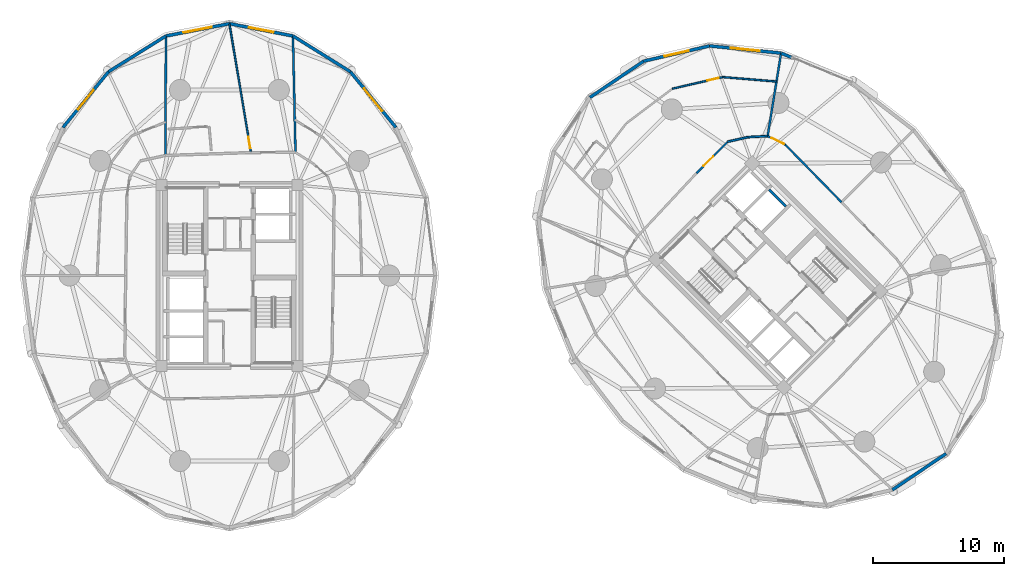
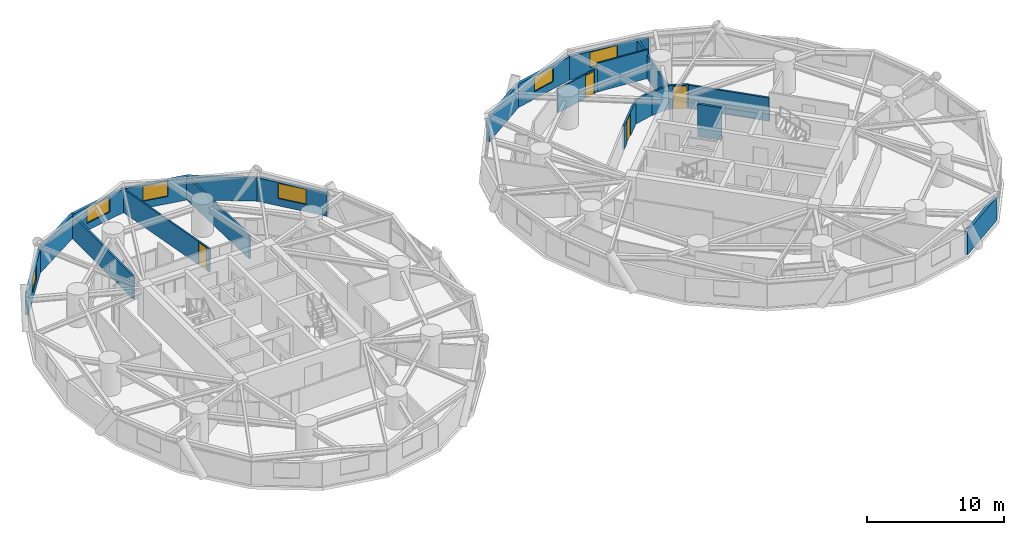
# One storey, part 13 of 16: 23 walls, 6 windows, 4 doors, 10 openings.
"""IFC4 building model written with IfcOpenShell, lengths in metres."""

from ifc_helpers import new_model, si_unit, direction, frame, frame_2d, origin, place, context, subcontext, project, spatial, rectangle, extrude, source, transform, mapped, material, layer, layer_set, type_object, element, fill, save


model = new_model("IFC4")

# Units and contexts
model_context = context("Model", 3, precision=1e-05, world=origin(), true_north=direction((0.0, 1.0)))
body_context = subcontext(model_context, "Body", "Model", "MODEL_VIEW")
ifc_project = project(units=[si_unit("LENGTHUNIT", "METRE"), si_unit("AREAUNIT", "SQUARE_METRE"), si_unit("VOLUMEUNIT", "CUBIC_METRE"), si_unit("PLANEANGLEUNIT", "RADIAN"), si_unit("MASSUNIT", "GRAM", prefix="KILO")], contexts=[model_context])

# Site, building, storey
site_placement = place(None, origin())
site = spatial("IfcSite", under=ifc_project, at=site_placement, CompositionType="ELEMENT")
building_placement = place(site_placement, origin())
building = spatial("IfcBuilding", under=site, at=building_placement, Name="Cununo Teusaquillo Station Towers", CompositionType="ELEMENT")
storey_placement = place(building_placement, frame((0.0, 0.0, 62.739990234375)))
storey = spatial("IfcBuildingStorey", under=building, at=storey_placement, Name="L19", CompositionType="ELEMENT", Elevation=62.739990234375)

# Wall
ifc_material_1 = material(Name="Concrete C50/60", Category="concrete")
ifc_layer_1 = layer(ifc_material_1, 0.199951171875)
ifc_layer_set_1 = layer_set([ifc_layer_1], Name="Concrete C50/60")
wall_type_1 = type_object("IfcWallType", Name="WL-CORE-200", PredefinedType="SHEAR", material=ifc_layer_set_1)
wall_1_placement = place(storey_placement, frame((58.86474609375, 29.75390625, 0.0), z_axis=(0.0, 0.0, 1.0), x_axis=(-0.707174411312, 0.707039144592, 0.0)))
element("IfcWall", 1, at=wall_1_placement, inside=storey, type_object=wall_type_1, Name="L19 Tower B Low-Rise Lift 1 Shaft Rear Shear Wall", PredefinedType="SHEAR", context=body_context, shape_type="SweptSolid", body=[
    extrude(rectangle(XDim=1.804931640625, YDim=0.199951171875, at=frame_2d((0.90234375, 0.0))), origin(), (0.0, 0.0, 1.0), 2.909912109375),
])

# Wall, opening, window
ifc_material_2 = material(Name="Precast concrete C40/50", Category="concrete")
ifc_layer_2 = layer(ifc_material_2, 0.239990234375)
ifc_layer_set_2 = layer_set([ifc_layer_2], Name="Precast concrete C40/50")
wall_type_2 = type_object("IfcWallType", Name="WL-EXT-240", PredefinedType="SOLIDWALL", material=ifc_layer_set_2)
wall_2_placement = place(storey_placement, frame((25.70654296875, 40.0087890625, 0.0), z_axis=(0.0, 0.0, 1.0), x_axis=(0.632713287022, -0.77438614168, 0.0)))
wall_2 = element("IfcWall", 2, at=wall_2_placement, inside=storey, type_object=wall_type_2, Name="L19 Tower A Exterior Facade Wall C02", PredefinedType="SOLIDWALL", context=body_context, shape_type="SweptSolid", body=[
    extrude(rectangle(XDim=5.4765625, YDim=0.239990234375, at=frame_2d((2.73828125, 0.0))), origin(), (0.0, 0.0, 1.0), 2.0791015625),
])
shared_shape_1 = source(origin(), body_context, "Body", "SweptSolid", [
    extrude(rectangle(XDim=2.199951171875, YDim=1.35009765625, at=frame_2d((1.10009765625, 0.675048828125))), frame((0.0, 0.1298828125, 0.0), z_axis=(0.0, -1.0, 0.0), x_axis=(1.0, 0.0, 0.0)), (0.0, 0.0, 1.0), 0.260009765625),
])
opening_1_placement = place(wall_2_placement, frame((1.637939453125, 0.0, 0.64990234375)))
opening_1 = element("IfcOpeningElement", 3, at=opening_1_placement, cuts=wall_2, Name="Opening WN-01", PredefinedType="OPENING", context=body_context, shape_type="MappedRepresentation", body=[
    mapped(shared_shape_1, transform((0.0, 0.0, 0.0), x_axis=(1.0, 0.0, 0.0), y_axis=(0.0, 1.0, 0.0), z_axis=(0.0, 0.0, 1.0), scale=1.0)),
])
ifc_material_3 = material(Name="Ceramic-fritted dark low-E double glazing", Category="glass")
window_type_1 = type_object("IfcWindowType", Name="WIN-FRIT-2200", PartitioningType="DOUBLE_PANEL_VERTICAL", PredefinedType="WINDOW", material=ifc_material_3)
shared_shape_2 = source(origin(), body_context, "Body", "SweptSolid", [
    extrude(rectangle(XDim=2.199951171875, YDim=1.35009765625, at=frame_2d((1.10009765625, 0.675048828125))), frame((0.0, 0.030029296875, 0.0), z_axis=(0.0, -1.0, 0.0), x_axis=(1.0, 0.0, 0.0)), (0.0, 0.0, 1.0), 0.06005859375),
])
window_1_placement = place(opening_1_placement, origin())
window_1 = element("IfcWindow", 4, at=window_1_placement, inside=storey, type_object=window_type_1, Name="L19 Tower A Facade Window C02", OverallHeight=1.35009765625, OverallWidth=2.199951171875, PartitioningType="DOUBLE_PANEL_VERTICAL", PredefinedType="WINDOW", context=body_context, shape_type="MappedRepresentation", body=[
    mapped(shared_shape_2, transform((0.0, 0.0, 0.0), x_axis=(1.0, 0.0, 0.0), y_axis=(0.0, 1.0, 0.0), z_axis=(0.0, 0.0, 1.0), scale=1.0)),
])
fill(opening_1, window_1)

# Wall
wall_3_placement = place(storey_placement, frame((21.340087890625, 42.731689453125, 0.0), z_axis=(0.0, 0.0, 1.0), x_axis=(0.848533613342, -0.529141481107, 0.0)))
element("IfcWall", 5, at=wall_3_placement, inside=storey, type_object=wall_type_2, Name="L19 Tower A Exterior Facade Wall C03", PredefinedType="SOLIDWALL", context=body_context, shape_type="SweptSolid", body=[
    extrude(rectangle(XDim=5.14599609375, YDim=0.239990234375, at=frame_2d((2.572998046875, 0.0))), origin(), (0.0, 0.0, 1.0), 2.0791015625),
])

# Wall, opening, window
wall_4_placement = place(storey_placement, frame((16.5, 43.669921875, 0.0), z_axis=(0.0, 0.0, 1.0), x_axis=(0.981725274071, -0.190303668512, 0.0)))
wall_4 = element("IfcWall", 6, at=wall_4_placement, inside=storey, type_object=wall_type_2, Name="L19 Tower A Exterior Facade Wall C04", PredefinedType="SOLIDWALL", context=body_context, shape_type="SweptSolid", body=[
    extrude(rectangle(XDim=4.93017578125, YDim=0.239990234375, at=frame_2d((2.465087890625, 0.0))), origin(), (0.0, 0.0, 1.0), 2.0791015625),
])
shared_shape_3 = source(origin(), body_context, "Body", "SweptSolid", [
    extrude(rectangle(XDim=1.89990234375, YDim=1.35009765625, at=frame_2d((0.949951171875, 0.675048828125))), frame((0.0, 0.1298828125, 0.0), z_axis=(0.0, -1.0, 0.0), x_axis=(1.0, 0.0, 0.0)), (0.0, 0.0, 1.0), 0.260009765625),
])
opening_2_placement = place(wall_4_placement, frame((1.514892578125, 0.0, 0.64990234375)))
opening_2 = element("IfcOpeningElement", 7, at=opening_2_placement, cuts=wall_4, Name="Opening WN-02", PredefinedType="OPENING", context=body_context, shape_type="MappedRepresentation", body=[
    mapped(shared_shape_3, transform((0.0, 0.0, 0.0), x_axis=(1.0, 0.0, 0.0), y_axis=(0.0, 1.0, 0.0), z_axis=(0.0, 0.0, 1.0), scale=1.0)),
])
ifc_material_4 = material(Name="Operable acoustic tinted low-E double glazing", Category="glass")
window_type_2 = type_object("IfcWindowType", Name="WIN-OPER-1900", PartitioningType="DOUBLE_PANEL_VERTICAL", PredefinedType="WINDOW", material=ifc_material_4)
shared_shape_4 = source(origin(), body_context, "Body", "SweptSolid", [
    extrude(rectangle(XDim=1.89990234375, YDim=1.35009765625, at=frame_2d((0.949951171875, 0.675048828125))), frame((0.0, 0.030029296875, 0.0), z_axis=(0.0, -1.0, 0.0), x_axis=(1.0, 0.0, 0.0)), (0.0, 0.0, 1.0), 0.06005859375),
])
window_2_placement = place(opening_2_placement, origin())
window_2 = element("IfcWindow", 8, at=window_2_placement, inside=storey, type_object=window_type_2, Name="L19 Tower A Facade Window C04", OverallHeight=1.35009765625, OverallWidth=1.89990234375, PartitioningType="DOUBLE_PANEL_VERTICAL", PredefinedType="WINDOW", context=body_context, shape_type="MappedRepresentation", body=[
    mapped(shared_shape_4, transform((0.0, 0.0, 0.0), x_axis=(1.0, 0.0, 0.0), y_axis=(0.0, 1.0, 0.0), z_axis=(0.0, 0.0, 1.0), scale=1.0)),
])
fill(opening_2, window_2)

wall_5_placement = place(storey_placement, frame((11.659912109375, 42.731689453125, 0.0), z_axis=(0.0, 0.0, 1.0), x_axis=(0.981725274071, 0.190303668512, 0.0)))
wall_5 = element("IfcWall", 9, at=wall_5_placement, inside=storey, type_object=wall_type_2, Name="L19 Tower A Exterior Facade Wall C05", PredefinedType="SOLIDWALL", context=body_context, shape_type="SweptSolid", body=[
    extrude(rectangle(XDim=4.93017578125, YDim=0.239990234375, at=frame_2d((2.465087890625, 0.0))), origin(), (0.0, 0.0, 1.0), 2.0791015625),
])
opening_3_placement = place(wall_5_placement, frame((1.364990234375, 0.0, 0.64990234375)))
opening_3 = element("IfcOpeningElement", 10, at=opening_3_placement, cuts=wall_5, Name="Opening WN-01", PredefinedType="OPENING", context=body_context, shape_type="MappedRepresentation", body=[
    mapped(shared_shape_1, transform((0.0, 0.0, 0.0), x_axis=(1.0, 0.0, 0.0), y_axis=(0.0, 1.0, 0.0), z_axis=(0.0, 0.0, 1.0), scale=1.0)),
])
window_3_placement = place(opening_3_placement, origin())
window_3 = element("IfcWindow", 11, at=window_3_placement, inside=storey, type_object=window_type_1, Name="L19 Tower A Facade Window C05", OverallHeight=1.35009765625, OverallWidth=2.199951171875, PartitioningType="DOUBLE_PANEL_VERTICAL", PredefinedType="WINDOW", context=body_context, shape_type="MappedRepresentation", body=[
    mapped(shared_shape_2, transform((0.0, 0.0, 0.0), x_axis=(1.0, 0.0, 0.0), y_axis=(0.0, 1.0, 0.0), z_axis=(0.0, 0.0, 1.0), scale=1.0)),
])
fill(opening_3, window_3)

# Wall
wall_6_placement = place(storey_placement, frame((7.29345703125, 40.0087890625, 0.0), z_axis=(0.0, 0.0, 1.0), x_axis=(0.848533613342, 0.529141481107, 0.0)))
element("IfcWall", 12, at=wall_6_placement, inside=storey, type_object=wall_type_2, Name="L19 Tower A Exterior Facade Wall C06", PredefinedType="SOLIDWALL", context=body_context, shape_type="SweptSolid", body=[
    extrude(rectangle(XDim=5.14599609375, YDim=0.239990234375, at=frame_2d((2.572998046875, 0.0))), origin(), (0.0, 0.0, 1.0), 2.0791015625),
])

# Wall, opening, window
wall_7_placement = place(storey_placement, frame((3.828369140625, 35.767822265625, 0.0), z_axis=(0.0, 0.0, 1.0), x_axis=(0.632713287022, 0.77438614168, 0.0)))
wall_7 = element("IfcWall", 13, at=wall_7_placement, inside=storey, type_object=wall_type_2, Name="L19 Tower A Exterior Facade Wall C07", PredefinedType="SOLIDWALL", context=body_context, shape_type="SweptSolid", body=[
    extrude(rectangle(XDim=5.4765625, YDim=0.239990234375, at=frame_2d((2.73828125, 0.0))), origin(), (0.0, 0.0, 1.0), 2.0791015625),
])
opening_4_placement = place(wall_7_placement, frame((1.7880859375, 0.0, 0.64990234375)))
opening_4 = element("IfcOpeningElement", 14, at=opening_4_placement, cuts=wall_7, Name="Opening WN-02", PredefinedType="OPENING", context=body_context, shape_type="MappedRepresentation", body=[
    mapped(shared_shape_3, transform((0.0, 0.0, 0.0), x_axis=(1.0, 0.0, 0.0), y_axis=(0.0, 1.0, 0.0), z_axis=(0.0, 0.0, 1.0), scale=1.0)),
])
window_4_placement = place(opening_4_placement, origin())
window_4 = element("IfcWindow", 15, at=window_4_placement, inside=storey, type_object=window_type_2, Name="L19 Tower A Facade Window C07", OverallHeight=1.35009765625, OverallWidth=1.89990234375, PartitioningType="DOUBLE_PANEL_VERTICAL", PredefinedType="WINDOW", context=body_context, shape_type="MappedRepresentation", body=[
    mapped(shared_shape_4, transform((0.0, 0.0, 0.0), x_axis=(1.0, 0.0, 0.0), y_axis=(0.0, 1.0, 0.0), z_axis=(0.0, 0.0, 1.0), scale=1.0)),
])
fill(opening_4, window_4)

# Wall
wall_8_placement = place(storey_placement, frame((58.49267578125, 41.427734375, 0.0), z_axis=(0.0, 0.0, 1.0), x_axis=(0.924556017656, -0.381046152345, 0.0)))
element("IfcWall", 16, at=wall_8_placement, inside=storey, type_object=wall_type_2, Name="L19 Tower B Column Pier Cladding Wall C01-PA", PredefinedType="SOLIDWALL", context=body_context, shape_type="SweptSolid", body=[
    extrude(rectangle(XDim=0.8701171875, YDim=0.239990234375, at=frame_2d((0.43505859375, 0.0))), origin(), (0.0, 0.0, 1.0), 2.0791015625),
])

# Wall, opening, window
wall_9_placement = place(storey_placement, frame((53.04345703125, 41.976318359375, 0.0), z_axis=(0.0, 0.0, 1.0), x_axis=(0.994970765694, -0.100165739718, 0.0)))
wall_9 = element("IfcWall", 17, at=wall_9_placement, inside=storey, type_object=wall_type_2, Name="L19 Tower B Exterior Facade Wall C02", PredefinedType="SOLIDWALL", context=body_context, shape_type="SweptSolid", body=[
    extrude(rectangle(XDim=5.476806640625, YDim=0.239990234375, at=frame_2d((2.73828125, 0.0))), origin(), (0.0, 0.0, 1.0), 2.0791015625),
])
opening_5_placement = place(wall_9_placement, frame((1.637939453125, 0.0, 0.64990234375)))
opening_5 = element("IfcOpeningElement", 18, at=opening_5_placement, cuts=wall_9, Name="Opening WN-01", PredefinedType="OPENING", context=body_context, shape_type="MappedRepresentation", body=[
    mapped(shared_shape_1, transform((0.0, 0.0, 0.0), x_axis=(1.0, 0.0, 0.0), y_axis=(0.0, 1.0, 0.0), z_axis=(0.0, 0.0, 1.0), scale=1.0)),
])
window_5_placement = place(opening_5_placement, origin())
window_5 = element("IfcWindow", 19, at=window_5_placement, inside=storey, type_object=window_type_1, Name="L19 Tower B Facade Window C02", OverallHeight=1.35009765625, OverallWidth=2.199951171875, PartitioningType="DOUBLE_PANEL_VERTICAL", PredefinedType="WINDOW", context=body_context, shape_type="MappedRepresentation", body=[
    mapped(shared_shape_2, transform((0.0, 0.0, 0.0), x_axis=(1.0, 0.0, 0.0), y_axis=(0.0, 1.0, 0.0), z_axis=(0.0, 0.0, 1.0), scale=1.0)),
])
fill(opening_5, window_5)

wall_10_placement = place(storey_placement, frame((48.030517578125, 40.814208984375, 0.0), z_axis=(0.0, 0.0, 1.0), x_axis=(0.974166016949, 0.225833060959, 0.0)))
wall_10 = element("IfcWall", 20, at=wall_10_placement, inside=storey, type_object=wall_type_2, Name="L19 Tower B Exterior Facade Wall C03", PredefinedType="SOLIDWALL", context=body_context, shape_type="SweptSolid", body=[
    extrude(rectangle(XDim=5.14599609375, YDim=0.239990234375, at=frame_2d((2.572998046875, 0.0))), origin(), (0.0, 0.0, 1.0), 2.0791015625),
])
opening_6_placement = place(wall_10_placement, frame((1.623046875, 0.0, 0.64990234375)))
opening_6 = element("IfcOpeningElement", 21, at=opening_6_placement, cuts=wall_10, Name="Opening WN-02", PredefinedType="OPENING", context=body_context, shape_type="MappedRepresentation", body=[
    mapped(shared_shape_3, transform((0.0, 0.0, 0.0), x_axis=(1.0, 0.0, 0.0), y_axis=(0.0, 1.0, 0.0), z_axis=(0.0, 0.0, 1.0), scale=1.0)),
])
window_6_placement = place(opening_6_placement, origin())
window_6 = element("IfcWindow", 22, at=window_6_placement, inside=storey, type_object=window_type_2, Name="L19 Tower B Facade Window C03", OverallHeight=1.35009765625, OverallWidth=1.89990234375, PartitioningType="DOUBLE_PANEL_VERTICAL", PredefinedType="WINDOW", context=body_context, shape_type="MappedRepresentation", body=[
    mapped(shared_shape_4, transform((0.0, 0.0, 0.0), x_axis=(1.0, 0.0, 0.0), y_axis=(0.0, 1.0, 0.0), z_axis=(0.0, 0.0, 1.0), scale=1.0)),
])
fill(opening_6, window_6)

# Walls
for number, where, z_axis, x_axis, name in (
    (23, (43.94482421875, 38.05517578125, 0.0), (0.0, 0.0, 1.0), (0.828736708604, 0.559638693991, 0.0), "L19 Tower B Exterior Facade Wall C04"),
    (24, (71.05517578125, 10.94482421875, 0.0), (0.0, 0.0, 1.0), (-0.828736708604, -0.559638693991, 0.0), "L19 Tower B Exterior Facade Wall C14"),
):
    element("IfcWall", number, at=place(storey_placement, frame(where, z_axis=z_axis, x_axis=x_axis)), inside=storey, type_object=wall_type_2, Name=name, PredefinedType="SOLIDWALL", context=body_context, shape_type="SweptSolid", body=[
        extrude(rectangle(XDim=4.929931640625, YDim=0.239990234375, at=frame_2d((2.46484375, 0.0))), origin(), (0.0, 0.0, 1.0), 2.0791015625),
    ])

# Wall, opening, door
ifc_material_5 = material(Name="Fire-rated gypsum plasterboard partition assembly", Category="gypsum")
ifc_layer_3 = layer(ifc_material_5, 0.125)
ifc_layer_set_3 = layer_set([ifc_layer_3], Name="Fire-rated gypsum plasterboard partition assembly")
wall_type_3 = type_object("IfcWallType", Name="WL-PART-125", PredefinedType="PARTITIONING", material=ifc_layer_set_3)
wall_11_placement = place(storey_placement, frame((18.142822265625, 33.859619140625, 0.0), z_axis=(0.0, 0.0, 1.0), x_axis=(-0.165487634719, 0.986211865045, 0.0)))
wall_11 = element("IfcWall", 25, at=wall_11_placement, inside=storey, type_object=wall_type_3, Name="L19 Tower A Premier Spa Hotel Suite Suite Subdividing Wall", PredefinedType="PARTITIONING", context=body_context, shape_type="SweptSolid", body=[
    extrude(rectangle(XDim=9.92724609375, YDim=0.125, at=frame_2d((4.963623046875, 0.0))), origin(), (0.0, 0.0, 1.0), 2.0791015625),
])
shared_shape_5 = source(origin(), body_context, "Body", "SweptSolid", [
    extrude(rectangle(XDim=0.89990234375, YDim=2.0048828125, at=frame_2d((0.449951171875, 1.00244140625))), frame((0.0, 0.072509765625, 0.0), z_axis=(0.0, -1.0, 0.0), x_axis=(1.0, 0.0, 0.0)), (0.0, 0.0, 1.0), 0.14501953125),
])
opening_7_placement = place(wall_11_placement, frame((0.330078125, 0.0, 0.0)))
opening_7 = element("IfcOpeningElement", 26, at=opening_7_placement, cuts=wall_11, Name="Opening D-IN1", PredefinedType="OPENING", context=body_context, shape_type="MappedRepresentation", body=[
    mapped(shared_shape_5, transform((0.0, 0.0, 0.0), x_axis=(1.0, 0.0, 0.0), y_axis=(0.0, 1.0, 0.0), z_axis=(0.0, 0.0, 1.0), scale=1.0)),
])
ifc_material_6 = material(Name="Acoustic solid-core hardwood leaf assembly", Category="wood")
door_type_1 = type_object("IfcDoorType", Name="DR-INT-900", OperationType="NOTDEFINED", PredefinedType="DOOR", material=ifc_material_6)
shared_shape_6 = source(origin(), body_context, "Body", "SweptSolid", [
    extrude(rectangle(XDim=0.89990234375, YDim=2.0048828125, at=frame_2d((0.449951171875, 1.00244140625))), frame((0.0, 0.02490234375, 0.0), z_axis=(0.0, -1.0, 0.0), x_axis=(1.0, 0.0, 0.0)), (0.0, 0.0, 1.0), 0.050048828125),
])
door_1_placement = place(opening_7_placement, origin())
door_1 = element("IfcDoor", 27, at=door_1_placement, inside=storey, type_object=door_type_1, Name="L19 Tower A Premier Spa Hotel Suite Suite Connecting Door", OperationType="SINGLE_SWING_RIGHT", OverallHeight=2.0048828125, OverallWidth=0.89990234375, PredefinedType="DOOR", context=body_context, shape_type="MappedRepresentation", body=[
    mapped(shared_shape_6, transform((0.0, 0.0, 0.0), x_axis=(1.0, 0.0, 0.0), y_axis=(0.0, 1.0, 0.0), z_axis=(0.0, 0.0, 1.0), scale=1.0)),
])
fill(opening_7, door_1)

# Wall
wall_12_placement = place(storey_placement, frame((58.141845703125, 39.26708984375, 0.0), z_axis=(0.0, 0.0, 1.0), x_axis=(-0.99664458574, 0.081850899288, 0.0)))
element("IfcWall", 28, at=wall_12_placement, inside=storey, type_object=wall_type_3, Name="L19 Tower B Premier Spa Hotel Suite Concentric Partition Wall C02", PredefinedType="PARTITIONING", context=body_context, shape_type="SweptSolid", body=[
    extrude(rectangle(XDim=4.110107421875, YDim=0.125, at=frame_2d((2.05517578125, 0.0))), origin(), (0.0, 0.0, 1.0), 2.554931640625),
])

# Wall, opening, door
wall_13_placement = place(storey_placement, frame((54.04541015625, 39.603515625, 0.0), z_axis=(0.0, 0.0, 1.0), x_axis=(-0.974339935028, -0.225081520808, 0.0)))
wall_13 = element("IfcWall", 29, at=wall_13_placement, inside=storey, type_object=wall_type_3, Name="L19 Tower B Premier Spa Hotel Suite Concentric Partition Wall C03", PredefinedType="PARTITIONING", context=body_context, shape_type="SweptSolid", body=[
    extrude(rectangle(XDim=3.935302734375, YDim=0.125, at=frame_2d((1.9677734375, 0.0))), origin(), (0.0, 0.0, 1.0), 2.125),
])
opening_8_placement = place(wall_13_placement, frame((0.294677734375, 0.0, 0.0)))
opening_8 = element("IfcOpeningElement", 30, at=opening_8_placement, cuts=wall_13, Name="Opening D-IN1", PredefinedType="OPENING", context=body_context, shape_type="MappedRepresentation", body=[
    mapped(shared_shape_5, transform((0.0, 0.0, 0.0), x_axis=(1.0, 0.0, 0.0), y_axis=(0.0, 1.0, 0.0), z_axis=(0.0, 0.0, 1.0), scale=1.0)),
])
door_2_placement = place(opening_8_placement, origin())
door_2 = element("IfcDoor", 31, at=door_2_placement, inside=storey, type_object=door_type_1, Name="L19 Tower B Premier Spa Hotel Suite Connecting Door", OperationType="SINGLE_SWING_LEFT", OverallHeight=2.0048828125, OverallWidth=0.89990234375, PredefinedType="DOOR", context=body_context, shape_type="MappedRepresentation", body=[
    mapped(shared_shape_6, transform((0.0, 0.0, 0.0), x_axis=(1.0, 0.0, 0.0), y_axis=(0.0, 1.0, 0.0), z_axis=(0.0, 0.0, 1.0), scale=1.0)),
])
fill(opening_8, door_2)

# Wall
ifc_material_7 = material(Name="Fire-rated gypsum plasterboard partition assembly", Category="gypsum")
ifc_layer_4 = layer(ifc_material_7, 0.14990234375)
ifc_layer_set_4 = layer_set([ifc_layer_4], Name="Fire-rated gypsum plasterboard partition assembly")
wall_type_4 = type_object("IfcWallType", Name="WL-PART-150", PredefinedType="PARTITIONING", material=ifc_layer_set_4)
wall_14_placement = place(storey_placement, frame((63.086181640625, 30.086181640625, 0.0), z_axis=(0.0, 0.0, 1.0), x_axis=(-0.699075897379, 0.715047473741, 0.0)))
element("IfcWall", 32, at=wall_14_placement, inside=storey, type_object=wall_type_4, Name="L19 Tower B Corridor Ring Wall C00", PredefinedType="PARTITIONING", context=body_context, shape_type="SweptSolid", body=[
    extrude(rectangle(XDim=6.1142578125, YDim=0.14990234375, at=frame_2d((3.05712890625, 0.0))), origin(), (0.0, 0.0, 1.0), 2.0791015625),
])

# Wall, opening, door
wall_15_placement = place(storey_placement, frame((58.811767578125, 34.458251953125, 0.0), z_axis=(0.0, 0.0, 1.0), x_axis=(-0.899559490277, 0.436798264021, 0.0)))
wall_15 = element("IfcWall", 33, at=wall_15_placement, inside=storey, type_object=wall_type_4, Name="L19 Tower B Corridor Ring Wall C01", PredefinedType="PARTITIONING", context=body_context, shape_type="SweptSolid", body=[
    extrude(rectangle(XDim=1.4951171875, YDim=0.14990234375, at=frame_2d((0.74755859375, 0.0))), origin(), (0.0, 0.0, 1.0), 2.125),
])
shared_shape_7 = source(origin(), body_context, "Body", "SweptSolid", [
    extrude(rectangle(XDim=1.050048828125, YDim=2.014892578125, at=frame_2d((0.52490234375, 1.00732421875))), frame((0.0, 0.0849609375, 0.0), z_axis=(0.0, -1.0, 0.0), x_axis=(1.0, 0.0, 0.0)), (0.0, 0.0, 1.0), 0.169921875),
])
opening_9_placement = place(wall_15_placement, frame((0.1201171875, 0.0, 0.0)))
opening_9 = element("IfcOpeningElement", 34, at=opening_9_placement, cuts=wall_15, Name="Opening D-SU1", PredefinedType="OPENING", context=body_context, shape_type="MappedRepresentation", body=[
    mapped(shared_shape_7, transform((0.0, 0.0, 0.0), x_axis=(1.0, 0.0, 0.0), y_axis=(0.0, 1.0, 0.0), z_axis=(0.0, 0.0, 1.0), scale=1.0)),
])
ifc_material_8 = material(Name="Acoustic solid-core hardwood leaf assembly", Category="wood")
door_type_2 = type_object("IfcDoorType", Name="DR-SUITE-1050", OperationType="NOTDEFINED", PredefinedType="DOOR", material=ifc_material_8)
shared_shape_8 = source(origin(), body_context, "Body", "SweptSolid", [
    extrude(rectangle(XDim=1.050048828125, YDim=2.014892578125, at=frame_2d((0.52490234375, 1.00732421875))), frame((0.0, 0.02490234375, 0.0), z_axis=(0.0, -1.0, 0.0), x_axis=(1.0, 0.0, 0.0)), (0.0, 0.0, 1.0), 0.050048828125),
])
door_3_placement = place(opening_9_placement, origin())
door_3 = element("IfcDoor", 35, at=door_3_placement, inside=storey, type_object=door_type_2, Name="L19 Tower B Thermal Hydrotherapy Spa Hall Entrance Door", OperationType="SINGLE_SWING_RIGHT", OverallHeight=2.014892578125, OverallWidth=1.050048828125, PredefinedType="DOOR", context=body_context, shape_type="MappedRepresentation", body=[
    mapped(shared_shape_8, transform((0.0, 0.0, 0.0), x_axis=(1.0, 0.0, 0.0), y_axis=(0.0, 1.0, 0.0), z_axis=(0.0, 0.0, 1.0), scale=1.0)),
])
fill(opening_9, door_3)

# Walls
wall_16_placement = place(storey_placement, frame((57.466796875, 35.111328125, 0.0), z_axis=(0.0, 0.0, 1.0), x_axis=(-0.998691757323, -0.051134859488, 0.0)))
element("IfcWall", 36, at=wall_16_placement, inside=storey, type_object=wall_type_4, Name="L19 Tower B Corridor Ring Wall C02", PredefinedType="PARTITIONING", context=body_context, shape_type="SweptSolid", body=[
    extrude(rectangle(XDim=1.48486328125, YDim=0.14990234375, at=frame_2d((0.742431640625, 0.0))), origin(), (0.0, 0.0, 1.0), 2.0791015625),
])
wall_17_placement = place(storey_placement, frame((55.98388671875, 35.035400390625, 0.0), z_axis=(0.0, 0.0, 1.0), x_axis=(-0.975290305708, -0.22092718165, 0.0)))
element("IfcWall", 37, at=wall_17_placement, inside=storey, type_object=wall_type_4, Name="L19 Tower B Corridor Ring Wall C03", PredefinedType="PARTITIONING", context=body_context, shape_type="SweptSolid", body=[
    extrude(rectangle(XDim=1.596923828125, YDim=0.14990234375, at=frame_2d((0.79833984375, 0.0))), origin(), (0.0, 0.0, 1.0), 2.125),
])

# Wall, opening, door
wall_18_placement = place(storey_placement, frame((54.426513671875, 34.6826171875, 0.0), z_axis=(0.0, 0.0, 1.0), x_axis=(-0.704178989986, -0.710022499687, 0.0)))
wall_18 = element("IfcWall", 38, at=wall_18_placement, inside=storey, type_object=wall_type_4, Name="L19 Tower B Corridor Ring Wall C04", PredefinedType="PARTITIONING", context=body_context, shape_type="SweptSolid", body=[
    extrude(rectangle(XDim=3.38427734375, YDim=0.14990234375, at=frame_2d((1.692138671875, 0.0))), origin(), (0.0, 0.0, 1.0), 2.0791015625),
])
opening_10_placement = place(wall_18_placement, frame((1.5595703125, 0.0, 0.0)))
opening_10 = element("IfcOpeningElement", 39, at=opening_10_placement, cuts=wall_18, Name="Opening D-SU1", PredefinedType="OPENING", context=body_context, shape_type="MappedRepresentation", body=[
    mapped(shared_shape_7, transform((0.0, 0.0, 0.0), x_axis=(1.0, 0.0, 0.0), y_axis=(0.0, 1.0, 0.0), z_axis=(0.0, 0.0, 1.0), scale=1.0)),
])
door_4_placement = place(opening_10_placement, origin())
door_4 = element("IfcDoor", 40, at=door_4_placement, inside=storey, type_object=door_type_2, Name="L19 Tower B Premier Spa Hotel Suite Entrance Door", OperationType="SINGLE_SWING_RIGHT", OverallHeight=2.014892578125, OverallWidth=1.050048828125, PredefinedType="DOOR", context=body_context, shape_type="MappedRepresentation", body=[
    mapped(shared_shape_8, transform((0.0, 0.0, 0.0), x_axis=(1.0, 0.0, 0.0), y_axis=(0.0, 1.0, 0.0), z_axis=(0.0, 0.0, 1.0), scale=1.0)),
])
fill(opening_10, door_4)

# Walls
ifc_material_9 = material(Name="Fire-rated gypsum plasterboard partition assembly", Category="gypsum")
ifc_layer_5 = layer(ifc_material_9, 0.159912109375)
ifc_layer_set_5 = layer_set([ifc_layer_5], Name="Fire-rated gypsum plasterboard partition assembly")
wall_type_5 = type_object("IfcWallType", Name="WL-PART-160", PredefinedType="PARTITIONING", material=ifc_layer_set_5)
wall_19_placement = place(storey_placement, frame((21.52685546875, 33.873291015625, 0.0), z_axis=(0.0, 0.0, 1.0), x_axis=(-0.021814395676, 0.999762037758, 0.0)))
element("IfcWall", 41, at=wall_19_placement, inside=storey, type_object=wall_type_5, Name="L19 Tower A Radial Suite Partition R02", PredefinedType="PARTITIONING", context=body_context, shape_type="SweptSolid", body=[
    extrude(rectangle(XDim=8.841552734375, YDim=0.159912109375, at=frame_2d((4.4208984375, 0.0))), origin(), (0.0, 0.0, 1.0), 2.0791015625),
])
wall_20_placement = place(storey_placement, frame((11.619873046875, 33.63720703125, 0.0), z_axis=(0.0, 0.0, 1.0), x_axis=(0.00508426969, 0.999987075017, 0.0)))
element("IfcWall", 42, at=wall_20_placement, inside=storey, type_object=wall_type_5, Name="L19 Tower A Radial Suite Partition R03", PredefinedType="PARTITIONING", context=body_context, shape_type="SweptSolid", body=[
    extrude(rectangle(XDim=9.075439453125, YDim=0.159912109375, at=frame_2d((4.53759765625, 0.0))), origin(), (0.0, 0.0, 1.0), 2.0791015625),
])
wall_21_placement = place(storey_placement, frame((57.466796875, 35.111328125, 0.0), z_axis=(0.0, 0.0, 1.0), x_axis=(0.160314040356, 0.987066060841, 0.0)))
element("IfcWall", 43, at=wall_21_placement, inside=storey, type_object=wall_type_5, Name="L19 Tower B Radial Suite Partition R02", PredefinedType="PARTITIONING", context=body_context, shape_type="SweptSolid", body=[
    extrude(rectangle(XDim=6.37939453125, YDim=0.159912109375, at=frame_2d((3.189697265625, 0.0))), origin(), (0.0, 0.0, 1.0), 2.0791015625),
])

save(model, "model.ifc")
